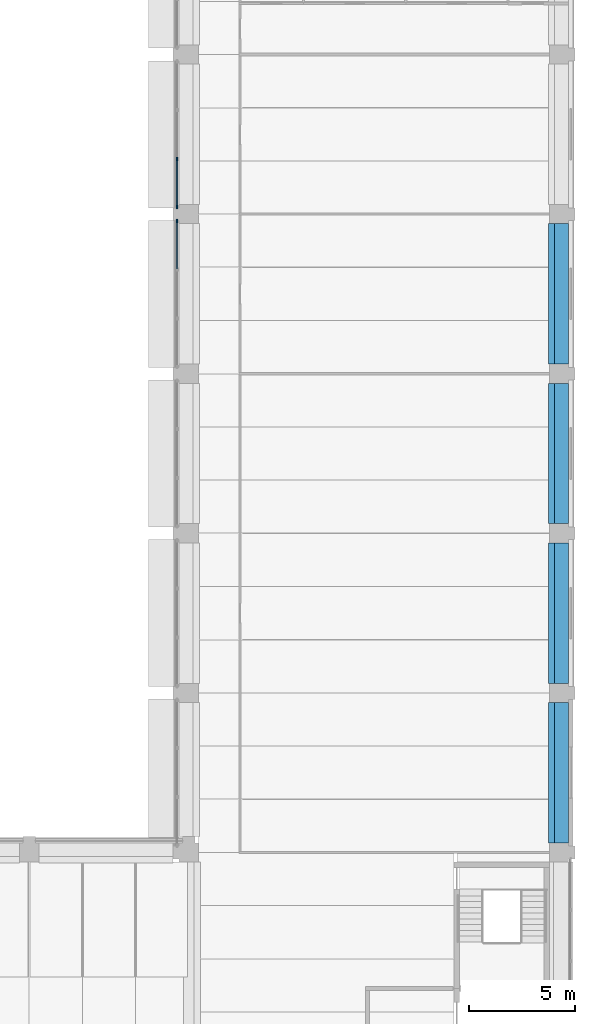
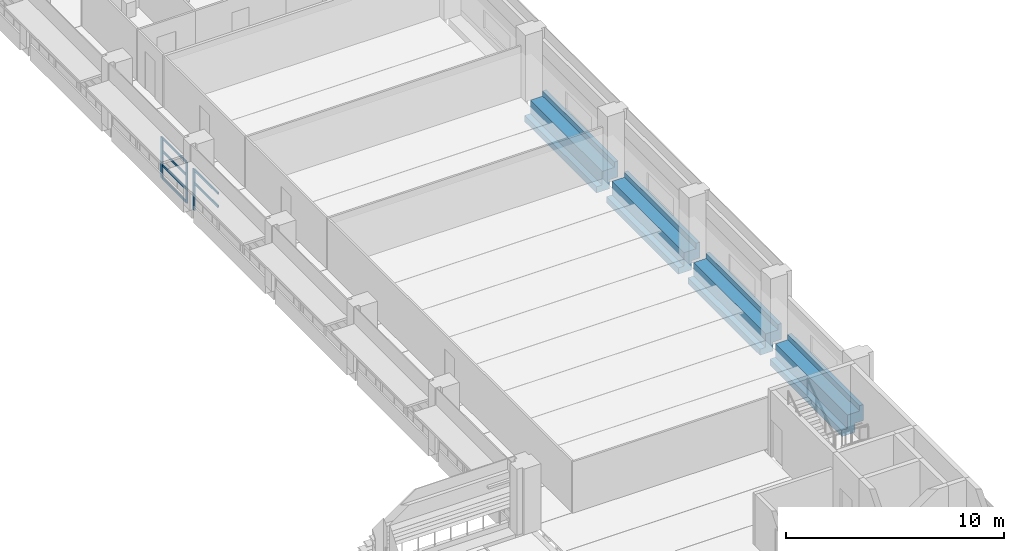
# One storey, part 18 of 57: 9 members, 4 beams, 2 elements without a shape of their own.
"""IFC4 building model written with IfcOpenShell, lengths in metres."""

from ifc_helpers import new_model, si_unit, direction, frame, origin, origin_2d, place, context, subcontext, project, spatial, polyline, rectangle, outline, extrude, material, layer, layer_set, material_profile, profile_set, type_object, element, aggregate, save


model = new_model("IFC4")

# Units and contexts
model_context = context("Model", 3, precision=1e-05, world=origin(), true_north=direction((0.0, 1.0)))
body_context = subcontext(model_context, "Body", "Model", "MODEL_VIEW")
ifc_project = project(units=[si_unit("LENGTHUNIT", "METRE"), si_unit("AREAUNIT", "SQUARE_METRE"), si_unit("VOLUMEUNIT", "CUBIC_METRE"), si_unit("PLANEANGLEUNIT", "RADIAN"), si_unit("MASSUNIT", "GRAM", prefix="KILO")], contexts=[model_context])

# Site, building, storey
site_placement = place(None, origin())
site = spatial("IfcSite", under=ifc_project, at=site_placement, CompositionType="ELEMENT")
building_placement = place(site_placement, origin())
building = spatial("IfcBuilding", under=site, at=building_placement, Name="Cour d'Honneur Mobility Palace", CompositionType="ELEMENT")
storey_placement = place(building_placement, frame((0.0, 0.0, 8.199951171875)))
storey = spatial("IfcBuildingStorey", under=building, at=storey_placement, Name="L02", CompositionType="ELEMENT", Elevation=8.199951171875)

# Curtain wall, members
ifc_material_1 = material(Name="Aluminium and glass", Category="aluminium")
ifc_layer = layer(ifc_material_1, 0.10009765625)
ifc_layer_set = layer_set([ifc_layer], Name="Aluminium and glass")
curtain_wall_type = type_object("IfcCurtainWallType", Name="Curtain wall run", PredefinedType="NOTDEFINED", material=ifc_layer_set)
curtain_wall_1_placement = place(storey_placement, origin())
curtain_wall_1 = element("IfcCurtainWall", 1, at=curtain_wall_1_placement, inside=storey, type_object=curtain_wall_type, Name="Curtain wall CW-53", PredefinedType="NOTDEFINED")
ifc_material_2 = material(Name="Aluminium", Category="aluminium")
ifc_material_profile_1 = material_profile(ifc_material_2, rectangle(XDim=0.06005859375, YDim=0.159912109375, at=origin_2d()), Name="Curtain wall mullion")
ifc_profile_set_1 = profile_set([ifc_material_profile_1], Name="Aluminium")
member_type_1 = type_object("IfcMemberType", Name="Curtain wall mullion", PredefinedType="MULLION", material=ifc_profile_set_1)
member_1_placement = place(storey_placement, frame((144.35009765625, 95.0, 0.0), z_axis=(0.0, 0.0, 1.0), x_axis=(1.0, 0.0, 0.0)))
member_1 = element("IfcMember", 2, at=member_1_placement, type_object=member_type_1, Name="CW-53 mullion 3", PredefinedType="MULLION", context=body_context, shape_type="SweptSolid", body=[
    extrude(rectangle(XDim=0.06005859375, YDim=0.159912109375, at=origin_2d()), origin(), (0.0, 0.0, 1.0), 2.300048828125),
])
member_2_placement = place(storey_placement, frame((144.35009765625, 92.72998046875, 0.0), z_axis=(0.0, 0.0, 1.0), x_axis=(1.0, 0.0, 0.0)))
member_2 = element("IfcMember", 3, at=member_2_placement, type_object=member_type_1, Name="CW-53 mullion 4", PredefinedType="MULLION", context=body_context, shape_type="SweptSolid", body=[
    extrude(rectangle(XDim=0.06005859375, YDim=0.159912109375, at=origin_2d()), origin(), (0.0, 0.0, 1.0), 2.300048828125),
])

# Curtain wall, member
curtain_wall_2_placement = place(storey_placement, origin())
curtain_wall_2 = element("IfcCurtainWall", 4, at=curtain_wall_2_placement, inside=storey, type_object=curtain_wall_type, Name="Curtain wall CW-54", PredefinedType="NOTDEFINED")
member_3_placement = place(storey_placement, frame((144.35009765625, 92.070068359375, 0.0), z_axis=(0.0, 0.0, 1.0), x_axis=(1.0, 0.0, 0.0)))
member_3 = element("IfcMember", 5, at=member_3_placement, type_object=member_type_1, Name="CW-54 mullion 1", PredefinedType="MULLION", context=body_context, shape_type="SweptSolid", body=[
    extrude(rectangle(XDim=0.06005859375, YDim=0.159912109375, at=origin_2d()), origin(), (0.0, 0.0, 1.0), 2.300048828125),
])

# Member
ifc_material_3 = material(Name="Aluminium", Category="aluminium")
ifc_material_profile_2 = material_profile(ifc_material_3, rectangle(XDim=0.06005859375, YDim=0.1201171875, at=origin_2d()), Name="Curtain wall transom")
ifc_profile_set_2 = profile_set([ifc_material_profile_2], Name="Aluminium")
member_type_2 = type_object("IfcMemberType", Name="Curtain wall transom", PredefinedType="USERDEFINED", material=ifc_profile_set_2)
member_4_placement = place(storey_placement, frame((144.35009765625, 94.969970703125, 0.030029296875), z_axis=(0.0, -1.0, 0.0), x_axis=(1.0, 0.0, 0.0)))
member_4 = element("IfcMember", 6, at=member_4_placement, type_object=member_type_2, Name="CW-53 transom 3.1", ObjectType="TRANSOM", PredefinedType="USERDEFINED", context=body_context, shape_type="SweptSolid", body=[
    extrude(rectangle(XDim=0.06005859375, YDim=0.1201171875, at=origin_2d()), origin(), (0.0, 0.0, 1.0), 2.2099609375),
])

member_5_placement = place(storey_placement, frame((144.35009765625, 94.969970703125, 0.7666015625), z_axis=(0.0, -1.0, 0.0), x_axis=(1.0, 0.0, 0.0)))
member_5 = element("IfcMember", 7, at=member_5_placement, type_object=member_type_2, Name="CW-53 transom 3.2", ObjectType="TRANSOM", PredefinedType="USERDEFINED", context=body_context, shape_type="SweptSolid", body=[
    extrude(rectangle(XDim=0.06005859375, YDim=0.1201171875, at=origin_2d()), origin(), (0.0, 0.0, 1.0), 2.2099609375),
])

member_6_placement = place(storey_placement, frame((144.35009765625, 94.969970703125, 1.533447265625), z_axis=(0.0, -1.0, 0.0), x_axis=(1.0, 0.0, 0.0)))
member_6 = element("IfcMember", 8, at=member_6_placement, type_object=member_type_2, Name="CW-53 transom 3.3", ObjectType="TRANSOM", PredefinedType="USERDEFINED", context=body_context, shape_type="SweptSolid", body=[
    extrude(rectangle(XDim=0.06005859375, YDim=0.1201171875, at=origin_2d()), origin(), (0.0, 0.0, 1.0), 2.2099609375),
])

member_7_placement = place(storey_placement, frame((144.35009765625, 94.969970703125, 2.27001953125), z_axis=(0.0, -1.0, 0.0), x_axis=(1.0, 0.0, 0.0)))
member_7 = element("IfcMember", 9, at=member_7_placement, type_object=member_type_2, Name="CW-53 transom 3.4", ObjectType="TRANSOM", PredefinedType="USERDEFINED", context=body_context, shape_type="SweptSolid", body=[
    extrude(rectangle(XDim=0.06005859375, YDim=0.1201171875, at=origin_2d()), origin(), (0.0, 0.0, 1.0), 2.2099609375),
])

aggregate(curtain_wall_1, [member_1, member_2, member_4, member_5, member_6, member_7])

member_8_placement = place(storey_placement, frame((144.35009765625, 92.0400390625, 1.533447265625), z_axis=(0.0, -1.0, 0.0), x_axis=(1.0, 0.0, 0.0)))
member_8 = element("IfcMember", 10, at=member_8_placement, type_object=member_type_2, Name="CW-54 transom 1.3", ObjectType="TRANSOM", PredefinedType="USERDEFINED", context=body_context, shape_type="SweptSolid", body=[
    extrude(rectangle(XDim=0.06005859375, YDim=0.1201171875, at=origin_2d()), origin(), (0.0, 0.0, 1.0), 2.2099609375),
])

member_9_placement = place(storey_placement, frame((144.35009765625, 92.0400390625, 2.27001953125), z_axis=(0.0, -1.0, 0.0), x_axis=(1.0, 0.0, 0.0)))
member_9 = element("IfcMember", 11, at=member_9_placement, type_object=member_type_2, Name="CW-54 transom 1.4", ObjectType="TRANSOM", PredefinedType="USERDEFINED", context=body_context, shape_type="SweptSolid", body=[
    extrude(rectangle(XDim=0.06005859375, YDim=0.1201171875, at=origin_2d()), origin(), (0.0, 0.0, 1.0), 2.2099609375),
])

aggregate(curtain_wall_2, [member_3, member_8, member_9])

# Beams
ifc_material_4 = material(Name="Concrete C45", Category="concrete")
ifc_material_profile_3 = material_profile(ifc_material_4, outline(polyline([(0.5, -1.10009765625), (0.5, -0.75), (0.199951171875, -0.75), (0.199951171875, 0.0), (-0.199951171875, 0.0), (-0.449951171875, 0.0), (-0.449951171875, 0.300048828125), (-0.64990234375, 0.300048828125), (-0.64990234375, -0.60009765625), (-0.199951171875, -0.60009765625), (-0.199951171875, -1.10009765625), (0.5, -1.10009765625)])), Name="Ledger Beam 400x1100 ledge left 350 facade right")
ifc_profile_set_3 = profile_set([ifc_material_profile_3], Name="Concrete C45")
beam_type = type_object("IfcBeamType", Name="Ledger Beam 400x1100 ledge left 350 facade right", PredefinedType="BEAM", material=ifc_profile_set_3)
for number, where, z_axis, x_axis, name in (
    (12, (162.300048828125, 62.85009765625, 0.0), (0.0, 1.0, 0.0), (-1.0, 0.0, 0.0), "Precast beam B2 H-J L02"),
    (13, (162.300048828125, 70.35009765625, 0.0), (0.0, 1.0, 0.0), (-1.0, 0.0, 0.0), "Precast beam B2 J-K L02"),
    (14, (162.300048828125, 77.85009765625, 0.0), (0.0, 1.0, 0.0), (-1.0, 0.0, 0.0), "Precast beam B2 K-L L02"),
    (15, (162.300048828125, 85.35009765625, 0.0), (0.0, 1.0, 0.0), (-1.0, 0.0, 0.0), "Precast beam B2 L-M L02"),
):
    element("IfcBeam", number, at=place(storey_placement, frame(where, z_axis=z_axis, x_axis=x_axis)), inside=storey, type_object=beam_type, Name=name, PredefinedType="BEAM", context=body_context, shape_type="SweptSolid", body=[
        extrude(outline(polyline([(0.5, -1.10009765625), (0.5, -0.75), (0.199951171875, -0.75), (0.199951171875, 0.0), (-0.199951171875, 0.0), (-0.449951171875, 0.0), (-0.449951171875, 0.300048828125), (-0.64990234375, 0.300048828125), (-0.64990234375, -0.60009765625), (-0.199951171875, -0.60009765625), (-0.199951171875, -1.10009765625), (0.5, -1.10009765625)])), origin(), (0.0, 0.0, 1.0), 6.599853515625),
    ])

save(model, "model.ifc")
